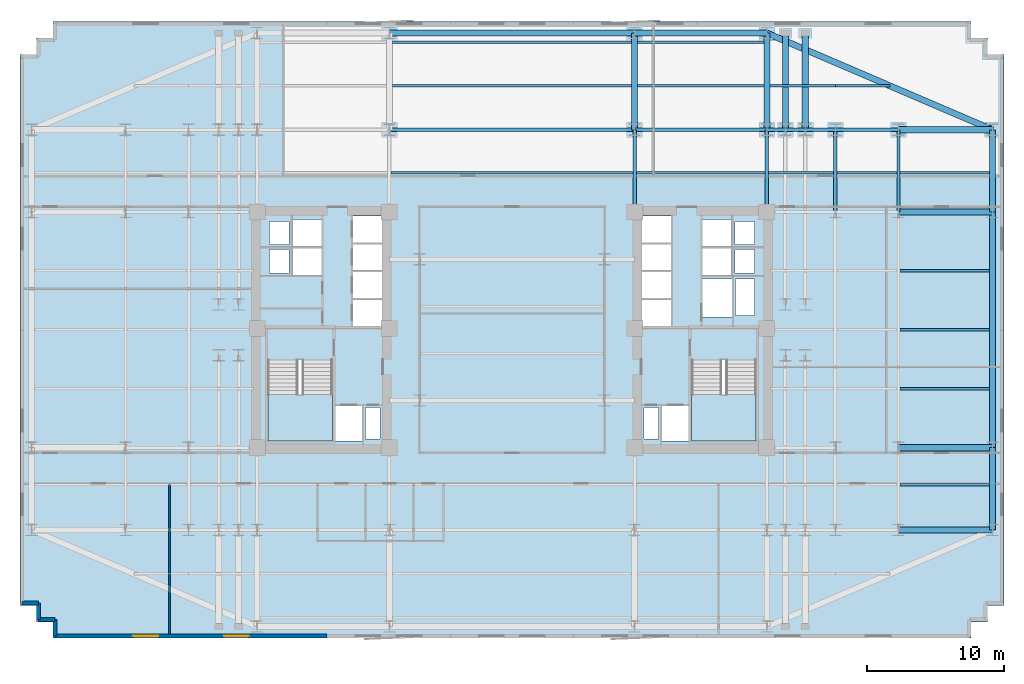
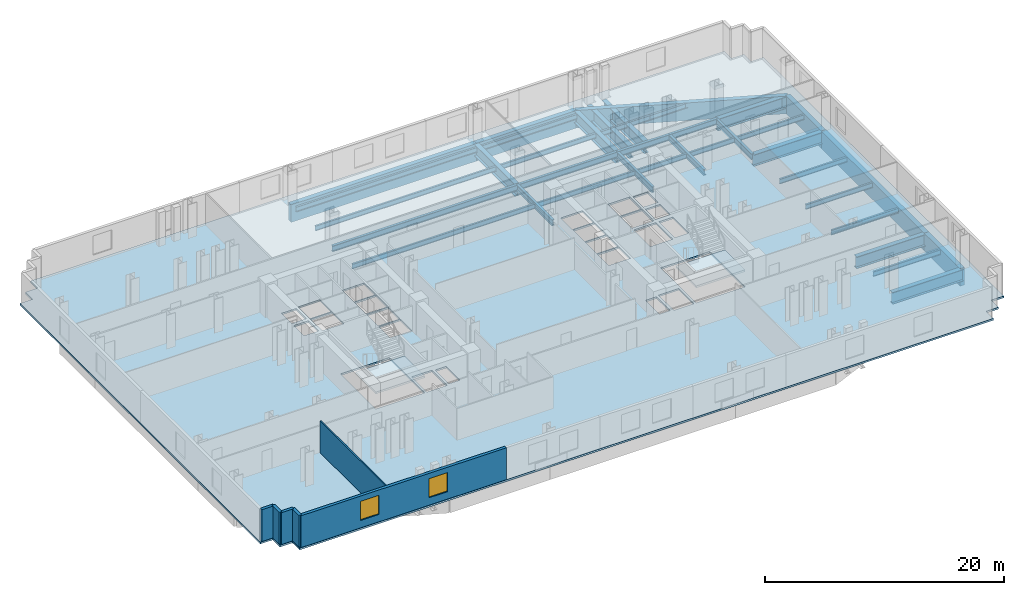
# One storey, part 3 of 10: 37 beams, 6 walls, 3 slabs, 2 windows, 2 openings, 2 elements without a shape of their own.
"""IFC4 building model written with IfcOpenShell, lengths in metres."""

from ifc_helpers import new_model, si_unit, direction, frame, frame_2d, origin, origin_2d, place, context, subcontext, project, spatial, polyline, rectangle, i_section, outline, extrude, material, layer, layer_set, material_profile, profile_set, type_object, element, fill, aggregate, save


model = new_model("IFC4")

# Units and contexts
model_context = context("Model", 3, precision=1e-05, world=origin(), true_north=direction((0.0, 1.0)))
body_context = subcontext(model_context, "Body", "Model", "MODEL_VIEW")
ifc_project = project(units=[si_unit("LENGTHUNIT", "METRE"), si_unit("AREAUNIT", "SQUARE_METRE"), si_unit("VOLUMEUNIT", "CUBIC_METRE"), si_unit("PLANEANGLEUNIT", "RADIAN"), si_unit("MASSUNIT", "GRAM", prefix="KILO")], contexts=[model_context])

# Site, building, storey
site_placement = place(None, origin())
site = spatial("IfcSite", under=ifc_project, at=site_placement, CompositionType="ELEMENT")
building_placement = place(site_placement, origin())
building = spatial("IfcBuilding", under=site, at=building_placement, Name="Velakula Bourse", CompositionType="ELEMENT")
storey_placement = place(building_placement, frame((0.0, 0.0, 31.199951171875)))
storey = spatial("IfcBuildingStorey", under=building, at=storey_placement, Name="L07", CompositionType="ELEMENT", Elevation=31.199951171875)

# Beams
ifc_material_1 = material(Name="Steel IS 2062 Grade 350 (E350)", Category="steel")
ifc_material_profile_1 = material_profile(ifc_material_1, i_section(OverallWidth=0.25, OverallDepth=0.60009765625, WebThickness=0.01171875, FlangeThickness=0.023681640625, at=origin_2d()), Name="Steel IS 2062 Grade 350 (E350)")
ifc_profile_set_1 = profile_set([ifc_material_profile_1], Name="Steel IS 2062 Grade 350 (E350)")
beam_type_1 = type_object("IfcBeamType", Name="BM-GRD-600H", PredefinedType="BEAM", material=ifc_profile_set_1)
for number, where, z_axis, x_axis, name in (
    (1, (8.949951171875, 8.60009765625, -0.47998046875), (0.0, 1.0, 0.0), (-1.0, 0.0, 0.0), "L07 Fulcrum Grid Girder FLC-ECN"),
    (2, (18.60009765625, 8.60009765625, -0.47998046875), (0.0, 1.0, 0.0), (-1.0, 0.0, 0.0), "L07 Fulcrum Grid Girder FLC-EN"),
):
    element("IfcBeam", number, at=place(storey_placement, frame(where, z_axis=z_axis, x_axis=x_axis)), inside=storey, type_object=beam_type_1, Name=name, PredefinedType="BEAM", context=body_context, shape_type="SweptSolid", body=[
        extrude(i_section(OverallWidth=0.25, OverallDepth=0.60009765625, WebThickness=0.01171875, FlangeThickness=0.023681640625, at=origin_2d()), origin(), (0.0, 0.0, 1.0), 6.0),
    ])
beam_1_placement = place(storey_placement, frame((-8.949951171875, 14.60009765625, -0.47998046875), z_axis=(1.0, 0.0, 0.0), x_axis=(0.0, 1.0, 0.0)))
element("IfcBeam", 3, at=beam_1_placement, inside=storey, type_object=beam_type_1, Name="L07 Fulcrum Grid Girder FLC-N2", PredefinedType="BEAM", context=body_context, shape_type="SweptSolid", body=[
    extrude(i_section(OverallWidth=0.25, OverallDepth=0.60009765625, WebThickness=0.01171875, FlangeThickness=0.023681640625, at=origin_2d()), origin(), (0.0, 0.0, 1.0), 17.89990234375),
])
beam_2_placement = place(storey_placement, frame((8.949951171875, 14.60009765625, -0.47998046875), z_axis=(1.0, 0.0, 0.0), x_axis=(0.0, 1.0, 0.0)))
element("IfcBeam", 4, at=beam_2_placement, inside=storey, type_object=beam_type_1, Name="L07 Fulcrum Grid Girder FLC-N3", PredefinedType="BEAM", context=body_context, shape_type="SweptSolid", body=[
    extrude(i_section(OverallWidth=0.25, OverallDepth=0.60009765625, WebThickness=0.01171875, FlangeThickness=0.023681640625, at=origin_2d()), origin(), (0.0, 0.0, 1.0), 9.650146484375),
])
beam_3_placement = place(storey_placement, frame((18.60009765625, 14.60009765625, -0.47998046875), z_axis=(1.0, 0.0, 0.0), x_axis=(0.0, 1.0, 0.0)))
element("IfcBeam", 5, at=beam_3_placement, inside=storey, type_object=beam_type_1, Name="L07 Fulcrum Grid Girder MWG-EN2", PredefinedType="BEAM", context=body_context, shape_type="SweptSolid", body=[
    extrude(i_section(OverallWidth=0.25, OverallDepth=0.60009765625, WebThickness=0.01171875, FlangeThickness=0.023681640625, at=origin_2d()), origin(), (0.0, 0.0, 1.0), 5.0),
])
beam_4_placement = place(storey_placement, frame((23.60009765625, 8.60009765625, -0.47998046875), z_axis=(0.0, 1.0, 0.0), x_axis=(-1.0, 0.0, 0.0)))
element("IfcBeam", 6, at=beam_4_placement, inside=storey, type_object=beam_type_1, Name="L07 Fulcrum Grid Girder MWG-ENS3", PredefinedType="BEAM", context=body_context, shape_type="SweptSolid", body=[
    extrude(i_section(OverallWidth=0.25, OverallDepth=0.60009765625, WebThickness=0.01171875, FlangeThickness=0.023681640625, at=origin_2d()), origin(), (0.0, 0.0, 1.0), 6.0),
])
beam_5_placement = place(storey_placement, frame((23.60009765625, 14.60009765625, -0.47998046875), z_axis=(1.0, 0.0, 0.0), x_axis=(0.0, 1.0, 0.0)))
element("IfcBeam", 7, at=beam_5_placement, inside=storey, type_object=beam_type_1, Name="L07 Fulcrum Grid Girder WNG-EN2", PredefinedType="BEAM", context=body_context, shape_type="SweptSolid", body=[
    extrude(i_section(OverallWidth=0.25, OverallDepth=0.60009765625, WebThickness=0.01171875, FlangeThickness=0.023681640625, at=origin_2d()), origin(), (0.0, 0.0, 1.0), 4.599853515625),
])
beam_6_placement = place(storey_placement, frame((28.199951171875, 8.60009765625, -0.47998046875), z_axis=(0.0, 1.0, 0.0), x_axis=(-1.0, 0.0, 0.0)))
element("IfcBeam", 8, at=beam_6_placement, inside=storey, type_object=beam_type_1, Name="L07 Fulcrum Grid Girder WNG-ENS3", PredefinedType="BEAM", context=body_context, shape_type="SweptSolid", body=[
    extrude(i_section(OverallWidth=0.25, OverallDepth=0.60009765625, WebThickness=0.01171875, FlangeThickness=0.023681640625, at=origin_2d()), origin(), (0.0, 0.0, 1.0), 6.0),
])
ifc_material_profile_2 = material_profile(ifc_material_1, i_section(OverallWidth=0.179931640625, OverallDepth=0.5, WebThickness=0.01025390625, FlangeThickness=0.01708984375, at=origin_2d()), Name="Steel IS 2062 Grade 350 (E350)")
ifc_profile_set_2 = profile_set([ifc_material_profile_2], Name="Steel IS 2062 Grade 350 (E350)")
beam_type_2 = type_object("IfcBeamType", Name="JST-TWR-500", PredefinedType="JOIST", material=ifc_profile_set_2)
beam_7_placement = place(storey_placement, frame((28.324951171875, -11.300048828125, -0.429931640625), z_axis=(1.0, 0.0, 0.0), x_axis=(0.0, 1.0, 0.0)))
element("IfcBeam", 9, at=beam_7_placement, inside=storey, type_object=beam_type_2, Name="L07 Trading Floor Composite Joist 19", PredefinedType="JOIST", context=body_context, shape_type="SweptSolid", body=[
    extrude(i_section(OverallWidth=0.179931640625, OverallDepth=0.5, WebThickness=0.01025390625, FlangeThickness=0.01708984375, at=origin_2d()), origin(), (0.0, 0.0, 1.0), 6.5),
])
beam_8_placement = place(storey_placement, frame((-8.824951171875, 11.449951171875, -0.429931640625), z_axis=(1.0, 0.0, 0.0), x_axis=(0.0, 1.0, 0.0)))
element("IfcBeam", 10, at=beam_8_placement, inside=storey, type_object=beam_type_2, Name="L07 Trading Floor Composite Joist 24", PredefinedType="JOIST", context=body_context, shape_type="SweptSolid", body=[
    extrude(i_section(OverallWidth=0.179931640625, OverallDepth=0.5, WebThickness=0.01025390625, FlangeThickness=0.01708984375, at=origin_2d()), origin(), (0.0, 0.0, 1.0), 17.64990234375),
])
beam_9_placement = place(storey_placement, frame((9.074951171875, 11.449951171875, -0.429931640625), z_axis=(1.0, 0.0, 0.0), x_axis=(0.0, 1.0, 0.0)))
element("IfcBeam", 11, at=beam_9_placement, inside=storey, type_object=beam_type_2, Name="L07 Trading Floor Composite Joist 25", PredefinedType="JOIST", context=body_context, shape_type="SweptSolid", body=[
    extrude(i_section(OverallWidth=0.179931640625, OverallDepth=0.5, WebThickness=0.01025390625, FlangeThickness=0.01708984375, at=origin_2d()), origin(), (0.0, 0.0, 1.0), 9.400146484375),
])
beam_10_placement = place(storey_placement, frame((18.72509765625, 11.449951171875, -0.429931640625), z_axis=(1.0, 0.0, 0.0), x_axis=(0.0, 1.0, 0.0)))
element("IfcBeam", 12, at=beam_10_placement, inside=storey, type_object=beam_type_2, Name="L07 Trading Floor Composite Joist 26", PredefinedType="JOIST", context=body_context, shape_type="SweptSolid", body=[
    extrude(i_section(OverallWidth=0.179931640625, OverallDepth=0.5, WebThickness=0.01025390625, FlangeThickness=0.01708984375, at=origin_2d()), origin(), (0.0, 0.0, 1.0), 4.75),
])
beam_11_placement = place(storey_placement, frame((23.72509765625, 11.449951171875, -0.429931640625), z_axis=(1.0, 0.0, 0.0), x_axis=(0.0, 1.0, 0.0)))
element("IfcBeam", 13, at=beam_11_placement, inside=storey, type_object=beam_type_2, Name="L07 Trading Floor Composite Joist 27", PredefinedType="JOIST", context=body_context, shape_type="SweptSolid", body=[
    extrude(i_section(OverallWidth=0.179931640625, OverallDepth=0.5, WebThickness=0.01025390625, FlangeThickness=0.01708984375, at=origin_2d()), origin(), (0.0, 0.0, 1.0), 4.349853515625),
])
beam_12_placement = place(storey_placement, frame((28.324951171875, 11.449951171875, -0.429931640625), z_axis=(1.0, 0.0, 0.0), x_axis=(0.0, 1.0, 0.0)))
element("IfcBeam", 14, at=beam_12_placement, inside=storey, type_object=beam_type_2, Name="L07 Trading Floor Composite Joist 28", PredefinedType="JOIST", context=body_context, shape_type="SweptSolid", body=[
    extrude(i_section(OverallWidth=0.179931640625, OverallDepth=0.5, WebThickness=0.01025390625, FlangeThickness=0.01708984375, at=origin_2d()), origin(), (0.0, 0.0, 1.0), 6.5),
])
beam_13_placement = place(storey_placement, frame((-8.72509765625, 17.800048828125, -0.429931640625), z_axis=(1.0, 0.0, 0.0), x_axis=(0.0, 1.0, 0.0)))
element("IfcBeam", 15, at=beam_13_placement, inside=storey, type_object=beam_type_2, Name="L07 Trading Floor Composite Joist 32", PredefinedType="JOIST", context=body_context, shape_type="SweptSolid", body=[
    extrude(i_section(OverallWidth=0.179931640625, OverallDepth=0.5, WebThickness=0.01025390625, FlangeThickness=0.01708984375, at=origin_2d()), origin(), (0.0, 0.0, 1.0), 17.4501953125),
])
beam_14_placement = place(storey_placement, frame((9.175048828125, 17.800048828125, -0.429931640625), z_axis=(1.0, 0.0, 0.0), x_axis=(0.0, 1.0, 0.0)))
element("IfcBeam", 16, at=beam_14_placement, inside=storey, type_object=beam_type_2, Name="L07 Trading Floor Composite Joist 33", PredefinedType="JOIST", context=body_context, shape_type="SweptSolid", body=[
    extrude(i_section(OverallWidth=0.179931640625, OverallDepth=0.5, WebThickness=0.01025390625, FlangeThickness=0.01708984375, at=origin_2d()), origin(), (0.0, 0.0, 1.0), 9.199951171875),
])
beam_15_placement = place(storey_placement, frame((18.824951171875, 17.800048828125, -0.429931640625), z_axis=(1.0, 0.0, 0.0), x_axis=(0.0, 1.0, 0.0)))
element("IfcBeam", 17, at=beam_15_placement, inside=storey, type_object=beam_type_2, Name="L07 Trading Floor Composite Joist 34", PredefinedType="JOIST", context=body_context, shape_type="SweptSolid", body=[
    extrude(i_section(OverallWidth=0.179931640625, OverallDepth=0.5, WebThickness=0.01025390625, FlangeThickness=0.01708984375, at=origin_2d()), origin(), (0.0, 0.0, 1.0), 4.775146484375),
])
beam_16_placement = place(storey_placement, frame((23.60009765625, 17.800048828125, -0.429931640625), z_axis=(1.0, 0.0, 0.0), x_axis=(0.0, 1.0, 0.0)))
element("IfcBeam", 18, at=beam_16_placement, inside=storey, type_object=beam_type_2, Name="L07 Trading Floor Composite Joist 35", PredefinedType="JOIST", context=body_context, shape_type="SweptSolid", body=[
    extrude(i_section(OverallWidth=0.179931640625, OverallDepth=0.5, WebThickness=0.01025390625, FlangeThickness=0.01708984375, at=origin_2d()), origin(), (0.0, 0.0, 1.0), 3.983154296875),
])
beam_17_placement = place(storey_placement, frame((-8.72509765625, 21.0, -0.429931640625), z_axis=(1.0, 0.0, 0.0), x_axis=(0.0, 1.0, 0.0)))
element("IfcBeam", 19, at=beam_17_placement, inside=storey, type_object=beam_type_2, Name="L07 Trading Floor Composite Joist 37", PredefinedType="JOIST", context=body_context, shape_type="SweptSolid", body=[
    extrude(i_section(OverallWidth=0.179931640625, OverallDepth=0.5, WebThickness=0.01025390625, FlangeThickness=0.01708984375, at=origin_2d()), origin(), (0.0, 0.0, 1.0), 17.4501953125),
])
beam_18_placement = place(storey_placement, frame((9.175048828125, 21.0, -0.429931640625), z_axis=(1.0, 0.0, 0.0), x_axis=(0.0, 1.0, 0.0)))
element("IfcBeam", 20, at=beam_18_placement, inside=storey, type_object=beam_type_2, Name="L07 Trading Floor Composite Joist 38", PredefinedType="JOIST", context=body_context, shape_type="SweptSolid", body=[
    extrude(i_section(OverallWidth=0.179931640625, OverallDepth=0.5, WebThickness=0.01025390625, FlangeThickness=0.01708984375, at=origin_2d()), origin(), (0.0, 0.0, 1.0), 9.199951171875),
])
for number, where, z_axis, x_axis, name in (
    (21, (28.324951171875, -4.300048828125, -0.429931640625), (1.0, 0.0, 0.0), (0.0, 1.0, 0.0), "L07 Trading Floor Composite Joist 46"),
    (22, (28.324951171875, 0.0, -0.429931640625), (1.0, 0.0, 0.0), (0.0, 1.0, 0.0), "L07 Trading Floor Composite Joist 52"),
    (23, (28.324951171875, 4.300048828125, -0.429931640625), (1.0, 0.0, 0.0), (0.0, 1.0, 0.0), "L07 Trading Floor Composite Joist 58"),
):
    element("IfcBeam", number, at=place(storey_placement, frame(where, z_axis=z_axis, x_axis=x_axis)), inside=storey, type_object=beam_type_2, Name=name, PredefinedType="JOIST", context=body_context, shape_type="SweptSolid", body=[
        extrude(i_section(OverallWidth=0.179931640625, OverallDepth=0.5, WebThickness=0.01025390625, FlangeThickness=0.01708984375, at=origin_2d()), origin(), (0.0, 0.0, 1.0), 6.5),
    ])
ifc_material_2 = material(Name="Concrete M50 (fck 50 MPa)", Category="concrete")
ifc_material_profile_3 = material_profile(ifc_material_2, rectangle(XDim=0.449951171875, YDim=1.800048828125, at=origin_2d()), Name="Concrete M50 (fck 50 MPa)")
ifc_profile_set_3 = profile_set([ifc_material_profile_3], Name="Concrete M50 (fck 50 MPa)")
beam_type_3 = type_object("IfcBeamType", Name="SPN-TRF-1800", PredefinedType="SPANDREL", material=ifc_profile_set_3)
beam_19_placement = place(storey_placement, frame((-8.949951171875, 21.64990234375, -1.079833984375), z_axis=(1.0, 0.0, 0.0), x_axis=(0.0, 1.0, 0.0)))
element("IfcBeam", 24, at=beam_19_placement, inside=storey, type_object=beam_type_3, Name="L07 Brick-Faced Precast Spandrel N2-N3", PredefinedType="SPANDREL", context=body_context, shape_type="SweptSolid", body=[
    extrude(rectangle(XDim=0.449951171875, YDim=1.800048828125, at=origin_2d()), origin(), (0.0, 0.0, 1.0), 17.89990234375),
])
beam_20_placement = place(storey_placement, frame((8.949951171875, 21.64990234375, -1.079833984375), z_axis=(1.0, 0.0, 0.0), x_axis=(0.0, 1.0, 0.0)))
element("IfcBeam", 25, at=beam_20_placement, inside=storey, type_object=beam_type_3, Name="L07 Brick-Faced Precast Spandrel N3-N4", PredefinedType="SPANDREL", context=body_context, shape_type="SweptSolid", body=[
    extrude(rectangle(XDim=0.449951171875, YDim=1.800048828125, at=origin_2d()), origin(), (0.0, 0.0, 1.0), 9.650146484375),
])
beam_21_placement = place(storey_placement, frame((35.050048828125, -14.60009765625, -1.079833984375), z_axis=(0.0, 1.0, 0.0), x_axis=(-1.0, 0.0, 0.0)))
element("IfcBeam", 26, at=beam_21_placement, inside=storey, type_object=beam_type_3, Name="L07 Brick-Faced Precast Spandrel E1-E2", PredefinedType="SPANDREL", context=body_context, shape_type="SweptSolid", body=[
    extrude(rectangle(XDim=0.449951171875, YDim=1.800048828125, at=origin_2d()), origin(), (0.0, 0.0, 1.0), 6.0),
])
beam_22_placement = place(storey_placement, frame((35.050048828125, -8.60009765625, -1.079833984375), z_axis=(0.0, 1.0, 0.0), x_axis=(-1.0, 0.0, 0.0)))
element("IfcBeam", 27, at=beam_22_placement, inside=storey, type_object=beam_type_3, Name="L07 Brick-Faced Precast Spandrel E2-E3", PredefinedType="SPANDREL", context=body_context, shape_type="SweptSolid", body=[
    extrude(rectangle(XDim=0.449951171875, YDim=1.800048828125, at=origin_2d()), origin(), (0.0, 0.0, 1.0), 17.2001953125),
])
beam_23_placement = place(storey_placement, frame((35.050048828125, 8.60009765625, -1.079833984375), z_axis=(0.0, 1.0, 0.0), x_axis=(-1.0, 0.0, 0.0)))
element("IfcBeam", 28, at=beam_23_placement, inside=storey, type_object=beam_type_3, Name="L07 Brick-Faced Precast Spandrel E3-E4", PredefinedType="SPANDREL", context=body_context, shape_type="SweptSolid", body=[
    extrude(rectangle(XDim=0.449951171875, YDim=1.800048828125, at=origin_2d()), origin(), (0.0, 0.0, 1.0), 6.0),
])
beam_24_placement = place(storey_placement, frame((35.050048828125, 14.60009765625, -1.079833984375), z_axis=(-0.919148557947, 0.393911066642, 0.0), x_axis=(-0.393911066642, -0.919148557947, 0.0)))
element("IfcBeam", 29, at=beam_24_placement, inside=storey, type_object=beam_type_3, Name="L07 Brick-Faced Precast Spandrel E4-N4", PredefinedType="SPANDREL", context=body_context, shape_type="SweptSolid", body=[
    extrude(rectangle(XDim=0.449951171875, YDim=1.800048828125, at=origin_2d()), origin(), (0.0, 0.0, 1.0), 17.89697265625),
])
ifc_material_3 = material(Name="Steel IS 2062 Grade 450 (E450)", Category="steel")
ifc_material_profile_4 = material_profile(ifc_material_3, i_section(OverallWidth=0.449951171875, OverallDepth=1.199951171875, WebThickness=0.02587890625, FlangeThickness=0.0400390625, at=origin_2d()), Name="Steel IS 2062 Grade 450 (E450)")
ifc_profile_set_4 = profile_set([ifc_material_profile_4], Name="Steel IS 2062 Grade 450 (E450)")
beam_type_4 = type_object("IfcBeamType", Name="TB-CANT-1200", PredefinedType="BEAM", material=ifc_profile_set_4)
for number, where, z_axis, x_axis, name in (
    (30, (8.949951171875, 14.60009765625, -0.780029296875), (0.0, 1.0, 0.0), (-1.0, 0.0, 0.0), "L07 Perimeter Tie Girder N3"),
    (31, (18.60009765625, 14.60009765625, -0.780029296875), (0.0, 1.0, 0.0), (-1.0, 0.0, 0.0), "L07 Perimeter Tie Girder N4"),
):
    element("IfcBeam", number, at=place(storey_placement, frame(where, z_axis=z_axis, x_axis=x_axis)), inside=storey, type_object=beam_type_4, Name=name, PredefinedType="BEAM", context=body_context, shape_type="SweptSolid", body=[
        extrude(i_section(OverallWidth=0.449951171875, OverallDepth=1.199951171875, WebThickness=0.02587890625, FlangeThickness=0.0400390625, at=origin_2d()), origin(), (0.0, 0.0, 1.0), 7.0498046875),
    ])
for number, where, z_axis, x_axis, name in (
    (32, (28.199951171875, -14.60009765625, -0.780029296875), (1.0, 0.0, 0.0), (0.0, 1.0, 0.0), "L07 Perimeter Tie Girder E1"),
    (33, (28.199951171875, -8.60009765625, -0.780029296875), (1.0, 0.0, 0.0), (0.0, 1.0, 0.0), "L07 Perimeter Tie Girder E2"),
    (34, (28.199951171875, 8.60009765625, -0.780029296875), (1.0, 0.0, 0.0), (0.0, 1.0, 0.0), "L07 Perimeter Tie Girder E3"),
    (35, (28.199951171875, 14.60009765625, -0.780029296875), (1.0, 0.0, 0.0), (0.0, 1.0, 0.0), "L07 Perimeter Tie Girder E4"),
):
    element("IfcBeam", number, at=place(storey_placement, frame(where, z_axis=z_axis, x_axis=x_axis)), inside=storey, type_object=beam_type_4, Name=name, PredefinedType="BEAM", context=body_context, shape_type="SweptSolid", body=[
        extrude(i_section(OverallWidth=0.449951171875, OverallDepth=1.199951171875, WebThickness=0.02587890625, FlangeThickness=0.0400390625, at=origin_2d()), origin(), (0.0, 0.0, 1.0), 6.85009765625),
    ])
for number, where, z_axis, x_axis, name in (
    (36, (19.949951171875, 14.60009765625, -0.780029296875), (0.0, 1.0, 0.0), (-1.0, 0.0, 0.0), "L07 Perimeter Tie Girder P07"),
    (37, (21.39990234375, 14.60009765625, -0.780029296875), (0.0, 1.0, 0.0), (-1.0, 0.0, 0.0), "L07 Perimeter Tie Girder P08"),
):
    element("IfcBeam", number, at=place(storey_placement, frame(where, z_axis=z_axis, x_axis=x_axis)), inside=storey, type_object=beam_type_4, Name=name, PredefinedType="BEAM", context=body_context, shape_type="SweptSolid", body=[
        extrude(i_section(OverallWidth=0.449951171875, OverallDepth=1.199951171875, WebThickness=0.02587890625, FlangeThickness=0.0400390625, at=origin_2d()), origin(), (0.0, 0.0, 1.0), 7.0498046875),
    ])

# Stair, slab
ifc_material_4 = material(Name="Concrete M45 (fck 45 MPa)", Category="concrete")
stair_type = type_object("IfcStairType", Name="STR-DOG-390", PredefinedType="HALF_TURN_STAIR", material=ifc_material_4)
stair_1_placement = place(storey_placement, origin())
stair_1 = element("IfcStair", 38, at=stair_1_placement, inside=storey, type_object=stair_type, Name="L07 West Core Exit Stair ST-W1", PredefinedType="HALF_TURN_STAIR")
ifc_layer_1 = layer(ifc_material_4, 0.199951171875, Name="Concrete M45 (fck 45 MPa)", Category="concrete")
ifc_layer_set_1 = layer_set([ifc_layer_1], Name="Concrete M45 (fck 45 MPa)")
slab_type_1 = type_object("IfcSlabType", Name="SLB-STAIR-LND-200", PredefinedType="LANDING", material=ifc_layer_set_1)
slab_1_placement = place(storey_placement, frame((0.0, 0.0, 1.525146484375)))
slab_1 = element("IfcSlab", 39, at=slab_1_placement, type_object=slab_type_1, Name="ST-W1 landing 1", PredefinedType="LANDING", context=body_context, shape_type="SweptSolid", body=[
    extrude(outline(polyline([(-17.820068359375, -4.719970703125), (-17.820068359375, -8.10009765625), (-13.10009765625, -8.10009765625), (-13.10009765625, -4.719970703125), (-17.820068359375, -4.719970703125)])), origin(), (0.0, 0.0, 1.0), 0.199951171875),
])
aggregate(stair_1, [slab_1])

stair_2_placement = place(storey_placement, origin())
stair_2 = element("IfcStair", 40, at=stair_2_placement, inside=storey, type_object=stair_type, Name="L07 East Core Exit Stair ST-E1", PredefinedType="HALF_TURN_STAIR")
slab_2_placement = place(storey_placement, frame((0.0, 0.0, 1.525146484375)))
slab_2 = element("IfcSlab", 41, at=slab_2_placement, type_object=slab_type_1, Name="ST-E1 landing 1", PredefinedType="LANDING", context=body_context, shape_type="SweptSolid", body=[
    extrude(outline(polyline([(13.10009765625, -4.719970703125), (13.10009765625, -8.10009765625), (17.820068359375, -8.10009765625), (17.820068359375, -4.719970703125), (13.10009765625, -4.719970703125)])), origin(), (0.0, 0.0, 1.0), 0.199951171875),
])
aggregate(stair_2, [slab_2])

# Slab
ifc_layer_2 = layer(ifc_material_2, 0.179931640625, Name="Concrete M50 (fck 50 MPa)", Category="concrete")
ifc_layer_set_2 = layer_set([ifc_layer_2], Name="Concrete M50 (fck 50 MPa)")
slab_type_2 = type_object("IfcSlabType", Name="SLB-TWR-180", PredefinedType="FLOOR", material=ifc_layer_set_2)
slab_3_placement = place(storey_placement, frame((0.0, 0.0, -0.179931640625)))
element("IfcSlab", 42, at=slab_3_placement, inside=storey, type_object=slab_type_2, Name="L07 Suspended Structural Floor Slab", PredefinedType="FLOOR", context=body_context, shape_type="SweptSolid", body=[
    extrude(outline(polyline([(-33.5, -22.5), (33.5, -22.5), (33.5, -21.300048828125), (34.699951171875, -21.300048828125), (34.699951171875, -20.10009765625), (35.89990234375, -20.10009765625), (35.89990234375, 20.10009765625), (34.699951171875, 20.10009765625), (34.699951171875, 21.300048828125), (33.5, 21.300048828125), (33.5, 22.5), (-33.5, 22.5), (-33.5, 21.300048828125), (-34.699951171875, 21.300048828125), (-34.699951171875, 20.10009765625), (-35.89990234375, 20.10009765625), (-35.89990234375, -20.10009765625), (-34.699951171875, -20.10009765625), (-34.699951171875, -21.300048828125), (-33.5, -21.300048828125), (-33.5, -22.5)]), holes=[polyline([(-17.820068359375, -8.10009765625), (-13.10009765625, -8.10009765625), (-13.10009765625, -2.199951171875), (-17.820068359375, -2.199951171875), (-17.820068359375, -8.10009765625)]), polyline([(13.10009765625, -8.10009765625), (17.820068359375, -8.10009765625), (17.820068359375, -2.199951171875), (13.10009765625, -2.199951171875), (13.10009765625, -8.10009765625)]), polyline([(-12.89990234375, -8.10009765625), (-10.949951171875, -8.10009765625), (-10.949951171875, -5.550048828125), (-12.89990234375, -5.550048828125), (-12.89990234375, -8.10009765625)]), polyline([(10.949951171875, -8.10009765625), (12.89990234375, -8.10009765625), (12.89990234375, -5.550048828125), (10.949951171875, -5.550048828125), (10.949951171875, -8.10009765625)]), polyline([(13.89990234375, 0.919921875), (16.050048828125, 0.919921875), (16.050048828125, 3.719970703125), (13.89990234375, 3.719970703125), (13.89990234375, 0.919921875)]), polyline([(-10.679931640625, -7.97998046875), (-9.6201171875, -7.97998046875), (-9.6201171875, -5.669921875), (-10.679931640625, -5.669921875), (-10.679931640625, -7.97998046875)]), polyline([(-17.679931640625, 4.139892578125), (-16.27001953125, 4.139892578125), (-16.27001953125, 5.85009765625), (-17.679931640625, 5.85009765625), (-17.679931640625, 4.139892578125)]), polyline([(-17.679931640625, 6.2099609375), (-16.27001953125, 6.2099609375), (-16.27001953125, 7.919921875), (-17.679931640625, 7.919921875), (-17.679931640625, 6.2099609375)]), polyline([(9.6201171875, -7.97998046875), (10.679931640625, -7.97998046875), (10.679931640625, -5.669921875), (9.6201171875, -5.669921875), (9.6201171875, -7.97998046875)]), polyline([(16.27001953125, 4.139892578125), (17.679931640625, 4.139892578125), (17.679931640625, 5.85009765625), (16.27001953125, 5.85009765625), (16.27001953125, 4.139892578125)]), polyline([(16.27001953125, 6.2099609375), (17.679931640625, 6.2099609375), (17.679931640625, 7.919921875), (16.27001953125, 7.919921875), (16.27001953125, 6.2099609375)]), polyline([(16.320068359375, 1.0400390625), (17.679931640625, 1.0400390625), (17.679931640625, 3.699951171875), (16.320068359375, 3.699951171875), (16.320068359375, 1.0400390625)]), polyline([(-11.60009765625, 0.280029296875), (-9.5, 0.280029296875), (-9.5, 2.199951171875), (-11.60009765625, 2.199951171875), (-11.60009765625, 0.280029296875)]), polyline([(-11.60009765625, 2.31005859375), (-9.5, 2.31005859375), (-9.5, 4.22998046875), (-11.60009765625, 4.22998046875), (-11.60009765625, 2.31005859375)]), polyline([(-11.60009765625, 4.340087890625), (-9.5, 4.340087890625), (-9.5, 6.260009765625), (-11.60009765625, 6.260009765625), (-11.60009765625, 4.340087890625)]), polyline([(-11.60009765625, 6.3701171875), (-9.5, 6.3701171875), (-9.5, 8.2900390625), (-11.60009765625, 8.2900390625), (-11.60009765625, 6.3701171875)]), polyline([(9.5, 0.280029296875), (11.60009765625, 0.280029296875), (11.60009765625, 2.199951171875), (9.5, 2.199951171875), (9.5, 0.280029296875)]), polyline([(9.5, 2.31005859375), (11.60009765625, 2.31005859375), (11.60009765625, 4.22998046875), (9.5, 4.22998046875), (9.5, 2.31005859375)]), polyline([(9.5, 4.340087890625), (11.60009765625, 4.340087890625), (11.60009765625, 6.260009765625), (9.5, 6.260009765625), (9.5, 4.340087890625)]), polyline([(9.5, 6.3701171875), (11.60009765625, 6.3701171875), (11.60009765625, 8.2900390625), (9.5, 8.2900390625), (9.5, 6.3701171875)]), polyline([(-16.0, 4.02001953125), (-13.89990234375, 4.02001953125), (-13.89990234375, 5.969970703125), (-16.0, 5.969970703125), (-16.0, 4.02001953125)]), polyline([(-16.0, 6.090087890625), (-13.89990234375, 6.090087890625), (-13.89990234375, 8.0400390625), (-16.0, 8.0400390625), (-16.0, 6.090087890625)]), polyline([(13.89990234375, 4.02001953125), (16.0, 4.02001953125), (16.0, 5.969970703125), (13.89990234375, 5.969970703125), (13.89990234375, 4.02001953125)]), polyline([(13.89990234375, 6.090087890625), (16.0, 6.090087890625), (16.0, 8.0400390625), (13.89990234375, 8.0400390625), (13.89990234375, 6.090087890625)])]), origin(), (0.0, 0.0, 1.0), 0.179931640625),
])

# Wall, openings, windows
ifc_material_5 = material(Name="Red kilned clay facing brick masonry", Category="masonry")
ifc_layer_3 = layer(ifc_material_5, 0.280029296875, Name="Red kilned clay facing brick masonry", Category="masonry")
ifc_layer_set_3 = layer_set([ifc_layer_3], Name="Red kilned clay facing brick masonry")
wall_type_1 = type_object("IfcWallType", Name="WL-EXT-BRK-280", PredefinedType="STANDARD", material=ifc_layer_set_3)
wall_1_placement = place(storey_placement, frame((-13.5, -22.340087890625, 0.0), z_axis=(0.0, 0.0, 1.0), x_axis=(-1.0, 0.0, 0.0)))
wall_1 = element("IfcWall", 43, at=wall_1_placement, inside=storey, type_object=wall_type_1, Name="L07 S Brick Spandrel Wall B1", PredefinedType="STANDARD", context=body_context, shape_type="SweptSolid", body=[
    extrude(rectangle(XDim=19.840087890625, YDim=0.280029296875, at=frame_2d((9.919921875, 0.0))), origin(), (0.0, 0.0, 1.0), 3.25),
])
opening_1_placement = place(wall_1_placement, frame((5.71337890625, 0.0, 0.760009765625)))
opening_1 = element("IfcOpeningElement", 44, at=opening_1_placement, cuts=wall_1, Name="Opening W-01", PredefinedType="OPENING", context=body_context, shape_type="SweptSolid", body=[
    extrude(rectangle(XDim=1.800048828125, YDim=1.949951171875, at=frame_2d((0.89990234375, 0.97509765625))), frame((0.0, 0.14990234375, 0.0), z_axis=(0.0, -1.0, 0.0), x_axis=(1.0, 0.0, 0.0)), (0.0, 0.0, 1.0), 0.300048828125),
])
opening_2_placement = place(wall_1_placement, frame((12.32666015625, 0.0, 0.760009765625)))
opening_2 = element("IfcOpeningElement", 45, at=opening_2_placement, cuts=wall_1, Name="Opening W-01", PredefinedType="OPENING", context=body_context, shape_type="SweptSolid", body=[
    extrude(rectangle(XDim=1.800048828125, YDim=1.949951171875, at=frame_2d((0.89990234375, 0.97509765625))), frame((0.0, 0.14990234375, 0.0), z_axis=(0.0, -1.0, 0.0), x_axis=(1.0, 0.0, 0.0)), (0.0, 0.0, 1.0), 0.300048828125),
])
ifc_material_6 = material(Name="Double-glazed solar-control Low-E glass", Category="glass")
window_type = type_object("IfcWindowType", Name="WIN-TWR-1800x2100", PartitioningType="SINGLE_PANEL", PredefinedType="WINDOW", material=ifc_material_6)
window_1_placement = place(opening_1_placement, origin())
window_1 = element("IfcWindow", 46, at=window_1_placement, inside=storey, type_object=window_type, Name="L07 Deep-Set Recessed Window 1", OverallHeight=1.949951171875, OverallWidth=1.800048828125, PartitioningType="SINGLE_PANEL", PredefinedType="WINDOW", context=body_context, shape_type="SweptSolid", body=[
    extrude(rectangle(XDim=1.800048828125, YDim=1.949951171875, at=frame_2d((0.89990234375, 0.97509765625))), frame((0.0, 0.030029296875, 0.0), z_axis=(0.0, -1.0, 0.0), x_axis=(1.0, 0.0, 0.0)), (0.0, 0.0, 1.0), 0.06005859375),
])
fill(opening_1, window_1)
window_2_placement = place(opening_2_placement, origin())
window_2 = element("IfcWindow", 47, at=window_2_placement, inside=storey, type_object=window_type, Name="L07 Deep-Set Recessed Window 2", OverallHeight=1.949951171875, OverallWidth=1.800048828125, PartitioningType="SINGLE_PANEL", PredefinedType="WINDOW", context=body_context, shape_type="SweptSolid", body=[
    extrude(rectangle(XDim=1.800048828125, YDim=1.949951171875, at=frame_2d((0.89990234375, 0.97509765625))), frame((0.0, 0.030029296875, 0.0), z_axis=(0.0, -1.0, 0.0), x_axis=(1.0, 0.0, 0.0)), (0.0, 0.0, 1.0), 0.06005859375),
])
fill(opening_2, window_2)

# Walls
for number, where, z_axis, x_axis, name in (
    (48, (-35.739990234375, -19.93994140625, 0.0), (0.0, 0.0, 1.0), (1.0, 0.0, 0.0), "L07 Serrated Corner Brick Wall SW-1"),
    (49, (-34.5400390625, -19.93994140625, 0.0), (0.0, 0.0, 1.0), (0.0, -1.0, 0.0), "L07 Serrated Corner Brick Wall SW-2"),
    (50, (-34.5400390625, -21.139892578125, 0.0), (0.0, 0.0, 1.0), (1.0, 0.0, 0.0), "L07 Serrated Corner Brick Wall SW-3"),
):
    element("IfcWall", number, at=place(storey_placement, frame(where, z_axis=z_axis, x_axis=x_axis)), inside=storey, type_object=wall_type_1, Name=name, PredefinedType="STANDARD", context=body_context, shape_type="SweptSolid", body=[
        extrude(rectangle(XDim=1.199951171875, YDim=0.280029296875, at=frame_2d((0.60009765625, 0.0))), origin(), (0.0, 0.0, 1.0), 3.25),
    ])
wall_2_placement = place(storey_placement, frame((-33.340087890625, -21.139892578125, 0.0), z_axis=(0.0, 0.0, 1.0), x_axis=(0.0, -1.0, 0.0)))
element("IfcWall", 51, at=wall_2_placement, inside=storey, type_object=wall_type_1, Name="L07 Serrated Corner Brick Wall SW-4", PredefinedType="STANDARD", context=body_context, shape_type="SweptSolid", body=[
    extrude(rectangle(XDim=1.2001953125, YDim=0.280029296875, at=frame_2d((0.60009765625, 0.0))), origin(), (0.0, 0.0, 1.0), 3.25),
])
ifc_material_7 = material(Name="Fire-rated double-layer gypsum drywall partition", Category="gypsum")
ifc_layer_4 = layer(ifc_material_7, 0.1201171875, Name="Fire-rated double-layer gypsum drywall partition", Category="gypsum")
ifc_layer_set_4 = layer_set([ifc_layer_4], Name="Fire-rated double-layer gypsum drywall partition")
wall_type_2 = type_object("IfcWallType", Name="WL-PART-120", PredefinedType="STANDARD", material=ifc_layer_set_4)
wall_3_placement = place(storey_placement, frame((-24.987060546875, -22.219970703125, 0.0), z_axis=(0.0, 0.0, 1.0), x_axis=(0.0, 1.0, 0.0)))
element("IfcWall", 52, at=wall_3_placement, inside=storey, type_object=wall_type_2, Name="L07 Interior Partition WL-INT-L07-SL-D5", PredefinedType="STANDARD", context=body_context, shape_type="SweptSolid", body=[
    extrude(rectangle(XDim=10.929931640625, YDim=0.1201171875, at=frame_2d((5.46484375, 0.0))), origin(), (0.0, 0.0, 1.0), 3.25),
])

save(model, "model.ifc")
